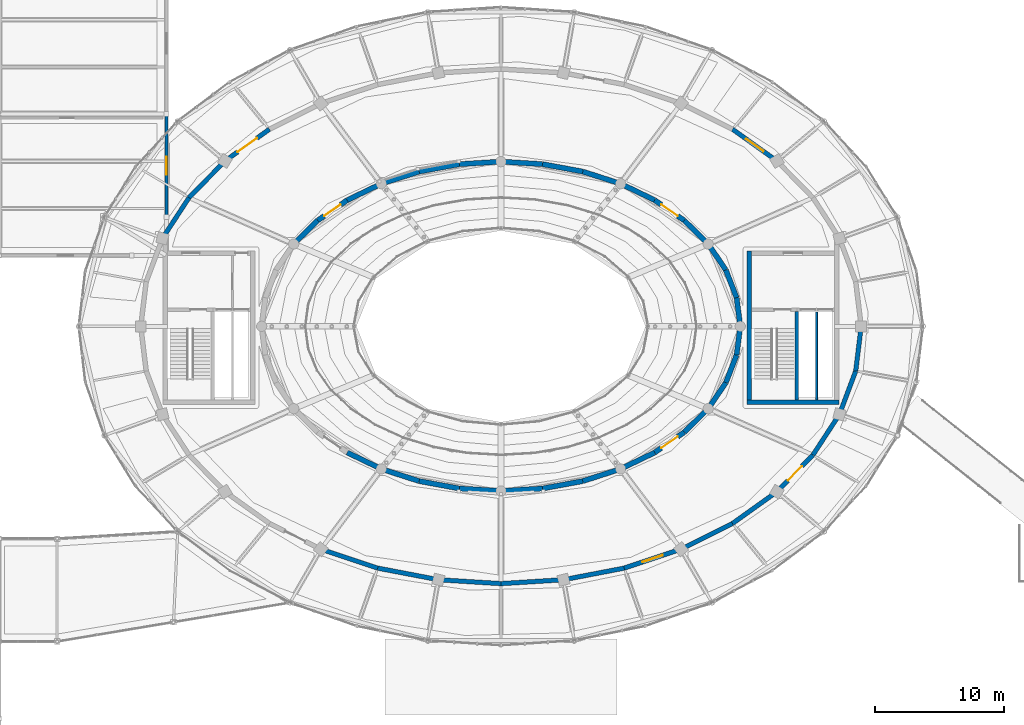
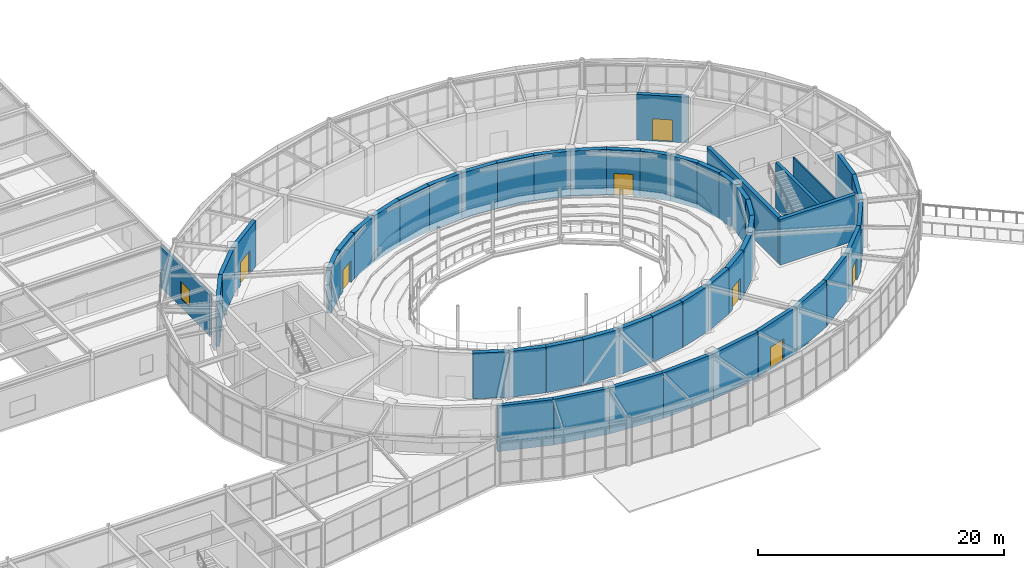
# One storey, part 79 of 100: 49 walls, 7 doors, 1 window, 8 openings.
"""IFC4 building model written with IfcOpenShell, lengths in metres."""

from ifc_helpers import new_model, si_unit, direction, frame, frame_2d, origin, place, context, subcontext, project, spatial, rectangle, extrude, material, layer, layer_set, type_object, element, fill, save


model = new_model("IFC4")

# Units and contexts
model_context = context("Model", 3, precision=1e-05, world=origin(), true_north=direction((0.0, 1.0)))
body_context = subcontext(model_context, "Body", "Model", "MODEL_VIEW")
ifc_project = project(units=[si_unit("LENGTHUNIT", "METRE"), si_unit("AREAUNIT", "SQUARE_METRE"), si_unit("VOLUMEUNIT", "CUBIC_METRE"), si_unit("PLANEANGLEUNIT", "RADIAN"), si_unit("MASSUNIT", "GRAM", prefix="KILO")], contexts=[model_context])

# Site, building, storey
site_placement = place(None, origin())
site = spatial("IfcSite", under=ifc_project, at=site_placement, CompositionType="ELEMENT")
building_placement = place(site_placement, origin())
building = spatial("IfcBuilding", under=site, at=building_placement, Name="Tarnveldt Headland Concert Hall", CompositionType="ELEMENT")
storey_placement = place(building_placement, frame((0.0, 0.0, 4.800048828125)))
storey = spatial("IfcBuildingStorey", under=building, at=storey_placement, Name="L01", CompositionType="ELEMENT", Elevation=4.800048828125)

# Walls
ifc_material_1 = material(Name="Concrete C40/50", Category="concrete")
ifc_layer_1 = layer(ifc_material_1, 0.39990234375, Name="Concrete C40/50", Category="concrete")
ifc_layer_set_1 = layer_set([ifc_layer_1], Name="Concrete C40/50")
wall_type_1 = type_object("IfcWallType", Name="WL-AC400", PredefinedType="SOLIDWALL", material=ifc_layer_set_1)
wall_1_placement = place(storey_placement, frame((102.10009765625, 54.5, 0.0), z_axis=(0.0, 0.0, 1.0), x_axis=(-0.126180195213, 0.992007337844, 0.0)))
element("IfcWall", 1, at=wall_1_placement, inside=storey, type_object=wall_type_1, Name="Acoustic inner box wall L01-1", PredefinedType="SOLIDWALL", context=body_context, shape_type="SweptSolid", body=[
    extrude(rectangle(XDim=2.240478515625, YDim=0.39990234375, at=frame_2d((1.1201171875, 0.0))), origin(), (0.0, 0.0, 1.0), 4.5400390625),
])
wall_2_placement = place(storey_placement, frame((101.8173828125, 56.72265625, 0.0), z_axis=(0.0, 0.0, 1.0), x_axis=(-0.362802811216, 0.931865934657, 0.0)))
element("IfcWall", 2, at=wall_2_placement, inside=storey, type_object=wall_type_1, Name="Acoustic inner box wall L01-2", PredefinedType="SOLIDWALL", context=body_context, shape_type="SweptSolid", body=[
    extrude(rectangle(XDim=2.312744140625, YDim=0.39990234375, at=frame_2d((1.15625, 0.0))), origin(), (0.0, 0.0, 1.0), 4.5400390625),
])
wall_3_placement = place(storey_placement, frame((100.978271484375, 58.8779296875, 0.0), z_axis=(0.0, 0.0, 1.0), x_axis=(-0.560958648975, 0.827843822312, 0.0)))
element("IfcWall", 3, at=wall_3_placement, inside=storey, type_object=wall_type_1, Name="Acoustic inner box wall L01-3", PredefinedType="SOLIDWALL", context=body_context, shape_type="SweptSolid", body=[
    extrude(rectangle(XDim=2.4423828125, YDim=0.39990234375, at=frame_2d((1.22119140625, 0.0))), origin(), (0.0, 0.0, 1.0), 4.5400390625),
])
wall_4_placement = place(storey_placement, frame((99.608154296875, 60.89990234375, 0.0), z_axis=(0.0, 0.0, 1.0), x_axis=(-0.713212431679, 0.700947949065, 0.0)))
element("IfcWall", 4, at=wall_4_placement, inside=storey, type_object=wall_type_1, Name="Acoustic inner box wall L01-4", PredefinedType="SOLIDWALL", context=body_context, shape_type="SweptSolid", body=[
    extrude(rectangle(XDim=2.607666015625, YDim=0.39990234375, at=frame_2d((1.3037109375, 0.0))), origin(), (0.0, 0.0, 1.0), 4.5400390625),
])

# Wall, opening, door
wall_5_placement = place(storey_placement, frame((97.748291015625, 62.727783203125, 0.0), z_axis=(0.0, 0.0, 1.0), x_axis=(-0.823780742291, 0.566908536388, 0.0)))
wall_5 = element("IfcWall", 5, at=wall_5_placement, inside=storey, type_object=wall_type_1, Name="Acoustic inner box wall L01-5", PredefinedType="SOLIDWALL", context=body_context, shape_type="SweptSolid", body=[
    extrude(rectangle(XDim=2.782958984375, YDim=0.39990234375, at=frame_2d((1.3916015625, 0.0))), origin(), (0.0, 0.0, 1.0), 4.5400390625),
])
opening_1_placement = place(wall_5_placement, frame((0.616455078125, 0.0, 0.0)))
opening_1 = element("IfcOpeningElement", 6, at=opening_1_placement, cuts=wall_5, Name="Opening AD-I033", PredefinedType="OPENING", context=body_context, shape_type="SweptSolid", body=[
    extrude(rectangle(XDim=1.550048828125, YDim=2.179931640625, at=frame_2d((0.77490234375, 1.08984375))), frame((0.0, 0.2099609375, 0.0), z_axis=(0.0, -1.0, 0.0), x_axis=(1.0, 0.0, 0.0)), (0.0, 0.0, 1.0), 0.419921875),
])
ifc_material_2 = material(Name="Treated East African mvule hardwood", Category="wood")
door_type_1 = type_object("IfcDoorType", Name="DR-AC155", OperationType="NOTDEFINED", PredefinedType="DOOR", material=ifc_material_2)
door_1_placement = place(opening_1_placement, origin())
door_1 = element("IfcDoor", 7, at=door_1_placement, inside=storey, type_object=door_type_1, Name="Auditorium sound-lock vomitory door L01-5", OperationType="SINGLE_SWING_LEFT", OverallHeight=2.179931640625, OverallWidth=1.550048828125, PredefinedType="DOOR", context=body_context, shape_type="SweptSolid", body=[
    extrude(rectangle(XDim=1.550048828125, YDim=2.179931640625, at=frame_2d((0.77490234375, 1.08984375))), frame((0.0, 0.02490234375, 0.0), z_axis=(0.0, -1.0, 0.0), x_axis=(1.0, 0.0, 0.0)), (0.0, 0.0, 1.0), 0.050048828125),
])
fill(opening_1, door_1)

# Walls
wall_6_placement = place(storey_placement, frame((95.455810546875, 64.305419921875, 0.0), z_axis=(0.0, 0.0, 1.0), x_axis=(-0.900857755122, 0.434114391648, 0.0)))
element("IfcWall", 8, at=wall_6_placement, inside=storey, type_object=wall_type_1, Name="Acoustic inner box wall L01-6", PredefinedType="SOLIDWALL", context=body_context, shape_type="SweptSolid", body=[
    extrude(rectangle(XDim=2.947998046875, YDim=0.39990234375, at=frame_2d((1.47412109375, 0.0))), origin(), (0.0, 0.0, 1.0), 4.5400390625),
])
wall_7_placement = place(storey_placement, frame((92.800048828125, 65.585205078125, 0.0), z_axis=(0.0, 0.0, 1.0), x_axis=(-0.952183186678, 0.305527705795, 0.0)))
element("IfcWall", 9, at=wall_7_placement, inside=storey, type_object=wall_type_1, Name="Acoustic inner box wall L01-7", PredefinedType="SOLIDWALL", context=body_context, shape_type="SweptSolid", body=[
    extrude(rectangle(XDim=3.0859375, YDim=0.39990234375, at=frame_2d((1.54296875, 0.0))), origin(), (0.0, 0.0, 1.0), 4.5400390625),
])
wall_8_placement = place(storey_placement, frame((89.861572265625, 66.528076171875, 0.0), z_axis=(0.0, 0.0, 1.0), x_axis=(-0.9834240594, 0.18132048807, 0.0)))
element("IfcWall", 10, at=wall_8_placement, inside=storey, type_object=wall_type_1, Name="Acoustic inner box wall L01-8", PredefinedType="SOLIDWALL", context=body_context, shape_type="SweptSolid", body=[
    extrude(rectangle(XDim=3.184326171875, YDim=0.39990234375, at=frame_2d((1.59228515625, 0.0))), origin(), (0.0, 0.0, 1.0), 4.5400390625),
])
for number, where, z_axis, x_axis, name in (
    (11, (86.72998046875, 67.10546875, 0.0), (0.0, 0.0, 1.0), (-0.99819038223, 0.060132859761, 0.0), "Acoustic inner box wall L01-9"),
    (12, (83.5, 67.300048828125, 0.0), (0.0, 0.0, 1.0), (-0.99819038223, -0.060132859761, 0.0), "Acoustic inner box wall L01-10"),
):
    element("IfcWall", number, at=place(storey_placement, frame(where, z_axis=z_axis, x_axis=x_axis)), inside=storey, type_object=wall_type_1, Name=name, PredefinedType="SOLIDWALL", context=body_context, shape_type="SweptSolid", body=[
        extrude(rectangle(XDim=3.23583984375, YDim=0.39990234375, at=frame_2d((1.617919921875, 0.0))), origin(), (0.0, 0.0, 1.0), 4.5400390625),
    ])
wall_9_placement = place(storey_placement, frame((80.27001953125, 67.10546875, 0.0), z_axis=(0.0, 0.0, 1.0), x_axis=(-0.9834240594, -0.18132048807, 0.0)))
element("IfcWall", 13, at=wall_9_placement, inside=storey, type_object=wall_type_1, Name="Acoustic inner box wall L01-11", PredefinedType="SOLIDWALL", context=body_context, shape_type="SweptSolid", body=[
    extrude(rectangle(XDim=3.184326171875, YDim=0.39990234375, at=frame_2d((1.59228515625, 0.0))), origin(), (0.0, 0.0, 1.0), 4.5400390625),
])
wall_10_placement = place(storey_placement, frame((77.138427734375, 66.528076171875, 0.0), z_axis=(0.0, 0.0, 1.0), x_axis=(-0.952183186678, -0.305527705795, 0.0)))
element("IfcWall", 14, at=wall_10_placement, inside=storey, type_object=wall_type_1, Name="Acoustic inner box wall L01-12", PredefinedType="SOLIDWALL", context=body_context, shape_type="SweptSolid", body=[
    extrude(rectangle(XDim=3.0859375, YDim=0.39990234375, at=frame_2d((1.54296875, 0.0))), origin(), (0.0, 0.0, 1.0), 4.5400390625),
])
wall_11_placement = place(storey_placement, frame((74.199951171875, 65.585205078125, 0.0), z_axis=(0.0, 0.0, 1.0), x_axis=(-0.900857755122, -0.434114391648, 0.0)))
element("IfcWall", 15, at=wall_11_placement, inside=storey, type_object=wall_type_1, Name="Acoustic inner box wall L01-13", PredefinedType="SOLIDWALL", context=body_context, shape_type="SweptSolid", body=[
    extrude(rectangle(XDim=2.947998046875, YDim=0.39990234375, at=frame_2d((1.47412109375, 0.0))), origin(), (0.0, 0.0, 1.0), 4.5400390625),
])

# Wall, opening, door
wall_12_placement = place(storey_placement, frame((71.544189453125, 64.305419921875, 0.0), z_axis=(0.0, 0.0, 1.0), x_axis=(-0.823780742291, -0.566908536388, 0.0)))
wall_12 = element("IfcWall", 16, at=wall_12_placement, inside=storey, type_object=wall_type_1, Name="Acoustic inner box wall L01-14", PredefinedType="SOLIDWALL", context=body_context, shape_type="SweptSolid", body=[
    extrude(rectangle(XDim=2.782958984375, YDim=0.39990234375, at=frame_2d((1.3916015625, 0.0))), origin(), (0.0, 0.0, 1.0), 4.5400390625),
])
opening_2_placement = place(wall_12_placement, frame((0.616455078125, 0.0, 0.0)))
opening_2 = element("IfcOpeningElement", 17, at=opening_2_placement, cuts=wall_12, Name="Opening AD-I034", PredefinedType="OPENING", context=body_context, shape_type="SweptSolid", body=[
    extrude(rectangle(XDim=1.550048828125, YDim=2.179931640625, at=frame_2d((0.77490234375, 1.08984375))), frame((0.0, 0.2099609375, 0.0), z_axis=(0.0, -1.0, 0.0), x_axis=(1.0, 0.0, 0.0)), (0.0, 0.0, 1.0), 0.419921875),
])
door_2_placement = place(opening_2_placement, origin())
door_2 = element("IfcDoor", 18, at=door_2_placement, inside=storey, type_object=door_type_1, Name="Auditorium sound-lock vomitory door L01-14", OperationType="SINGLE_SWING_RIGHT", OverallHeight=2.179931640625, OverallWidth=1.550048828125, PredefinedType="DOOR", context=body_context, shape_type="SweptSolid", body=[
    extrude(rectangle(XDim=1.550048828125, YDim=2.179931640625, at=frame_2d((0.77490234375, 1.08984375))), frame((0.0, 0.02490234375, 0.0), z_axis=(0.0, -1.0, 0.0), x_axis=(1.0, 0.0, 0.0)), (0.0, 0.0, 1.0), 0.050048828125),
])
fill(opening_2, door_2)

# Walls
wall_13_placement = place(storey_placement, frame((69.251708984375, 62.727783203125, 0.0), z_axis=(0.0, 0.0, 1.0), x_axis=(-0.713212431679, -0.700947949065, 0.0)))
element("IfcWall", 19, at=wall_13_placement, inside=storey, type_object=wall_type_1, Name="Acoustic inner box wall L01-15", PredefinedType="SOLIDWALL", context=body_context, shape_type="SweptSolid", body=[
    extrude(rectangle(XDim=2.607666015625, YDim=0.39990234375, at=frame_2d((1.3037109375, 0.0))), origin(), (0.0, 0.0, 1.0), 4.5400390625),
])
wall_14_placement = place(storey_placement, frame((71.544189453125, 44.694580078125, 0.0), z_axis=(0.0, 0.0, 1.0), x_axis=(0.900857755122, -0.434114391648, 0.0)))
element("IfcWall", 20, at=wall_14_placement, inside=storey, type_object=wall_type_1, Name="Acoustic inner box wall L01-24", PredefinedType="SOLIDWALL", context=body_context, shape_type="SweptSolid", body=[
    extrude(rectangle(XDim=2.947998046875, YDim=0.39990234375, at=frame_2d((1.47412109375, 0.0))), origin(), (0.0, 0.0, 1.0), 4.5400390625),
])
wall_15_placement = place(storey_placement, frame((74.199951171875, 43.414794921875, 0.0), z_axis=(0.0, 0.0, 1.0), x_axis=(0.952183186678, -0.305527705795, 0.0)))
element("IfcWall", 21, at=wall_15_placement, inside=storey, type_object=wall_type_1, Name="Acoustic inner box wall L01-25", PredefinedType="SOLIDWALL", context=body_context, shape_type="SweptSolid", body=[
    extrude(rectangle(XDim=3.0859375, YDim=0.39990234375, at=frame_2d((1.54296875, 0.0))), origin(), (0.0, 0.0, 1.0), 4.5400390625),
])
wall_16_placement = place(storey_placement, frame((77.138427734375, 42.471923828125, 0.0), z_axis=(0.0, 0.0, 1.0), x_axis=(0.9834240594, -0.18132048807, 0.0)))
element("IfcWall", 22, at=wall_16_placement, inside=storey, type_object=wall_type_1, Name="Acoustic inner box wall L01-26", PredefinedType="SOLIDWALL", context=body_context, shape_type="SweptSolid", body=[
    extrude(rectangle(XDim=3.184326171875, YDim=0.39990234375, at=frame_2d((1.59228515625, 0.0))), origin(), (0.0, 0.0, 1.0), 4.5400390625),
])
for number, where, z_axis, x_axis, name in (
    (23, (80.27001953125, 41.89453125, 0.0), (0.0, 0.0, 1.0), (0.99819038223, -0.060132859761, 0.0), "Acoustic inner box wall L01-27"),
    (24, (83.5, 41.699951171875, 0.0), (0.0, 0.0, 1.0), (0.99819038223, 0.060132859761, 0.0), "Acoustic inner box wall L01-28"),
):
    element("IfcWall", number, at=place(storey_placement, frame(where, z_axis=z_axis, x_axis=x_axis)), inside=storey, type_object=wall_type_1, Name=name, PredefinedType="SOLIDWALL", context=body_context, shape_type="SweptSolid", body=[
        extrude(rectangle(XDim=3.23583984375, YDim=0.39990234375, at=frame_2d((1.617919921875, 0.0))), origin(), (0.0, 0.0, 1.0), 4.5400390625),
    ])
wall_17_placement = place(storey_placement, frame((86.72998046875, 41.89453125, 0.0), z_axis=(0.0, 0.0, 1.0), x_axis=(0.9834240594, 0.18132048807, 0.0)))
element("IfcWall", 25, at=wall_17_placement, inside=storey, type_object=wall_type_1, Name="Acoustic inner box wall L01-29", PredefinedType="SOLIDWALL", context=body_context, shape_type="SweptSolid", body=[
    extrude(rectangle(XDim=3.184326171875, YDim=0.39990234375, at=frame_2d((1.59228515625, 0.0))), origin(), (0.0, 0.0, 1.0), 4.5400390625),
])
wall_18_placement = place(storey_placement, frame((89.861572265625, 42.471923828125, 0.0), z_axis=(0.0, 0.0, 1.0), x_axis=(0.952183186678, 0.305527705795, 0.0)))
element("IfcWall", 26, at=wall_18_placement, inside=storey, type_object=wall_type_1, Name="Acoustic inner box wall L01-30", PredefinedType="SOLIDWALL", context=body_context, shape_type="SweptSolid", body=[
    extrude(rectangle(XDim=3.0859375, YDim=0.39990234375, at=frame_2d((1.54296875, 0.0))), origin(), (0.0, 0.0, 1.0), 4.5400390625),
])
wall_19_placement = place(storey_placement, frame((92.800048828125, 43.414794921875, 0.0), z_axis=(0.0, 0.0, 1.0), x_axis=(0.900857755122, 0.434114391648, 0.0)))
element("IfcWall", 27, at=wall_19_placement, inside=storey, type_object=wall_type_1, Name="Acoustic inner box wall L01-31", PredefinedType="SOLIDWALL", context=body_context, shape_type="SweptSolid", body=[
    extrude(rectangle(XDim=2.947998046875, YDim=0.39990234375, at=frame_2d((1.47412109375, 0.0))), origin(), (0.0, 0.0, 1.0), 4.5400390625),
])

# Wall, opening, door
wall_20_placement = place(storey_placement, frame((95.455810546875, 44.694580078125, 0.0), z_axis=(0.0, 0.0, 1.0), x_axis=(0.823780742291, 0.566908536388, 0.0)))
wall_20 = element("IfcWall", 28, at=wall_20_placement, inside=storey, type_object=wall_type_1, Name="Acoustic inner box wall L01-32", PredefinedType="SOLIDWALL", context=body_context, shape_type="SweptSolid", body=[
    extrude(rectangle(XDim=2.782958984375, YDim=0.39990234375, at=frame_2d((1.3916015625, 0.0))), origin(), (0.0, 0.0, 1.0), 4.5400390625),
])
opening_3_placement = place(wall_20_placement, frame((0.616455078125, 0.0, 0.0)))
opening_3 = element("IfcOpeningElement", 29, at=opening_3_placement, cuts=wall_20, Name="Opening AD-I036", PredefinedType="OPENING", context=body_context, shape_type="SweptSolid", body=[
    extrude(rectangle(XDim=1.550048828125, YDim=2.179931640625, at=frame_2d((0.77490234375, 1.08984375))), frame((0.0, 0.2099609375, 0.0), z_axis=(0.0, -1.0, 0.0), x_axis=(1.0, 0.0, 0.0)), (0.0, 0.0, 1.0), 0.419921875),
])
door_3_placement = place(opening_3_placement, origin())
door_3 = element("IfcDoor", 30, at=door_3_placement, inside=storey, type_object=door_type_1, Name="Auditorium sound-lock vomitory door L01-32", OperationType="SINGLE_SWING_RIGHT", OverallHeight=2.179931640625, OverallWidth=1.550048828125, PredefinedType="DOOR", context=body_context, shape_type="SweptSolid", body=[
    extrude(rectangle(XDim=1.550048828125, YDim=2.179931640625, at=frame_2d((0.77490234375, 1.08984375))), frame((0.0, 0.02490234375, 0.0), z_axis=(0.0, -1.0, 0.0), x_axis=(1.0, 0.0, 0.0)), (0.0, 0.0, 1.0), 0.050048828125),
])
fill(opening_3, door_3)

# Walls
wall_21_placement = place(storey_placement, frame((97.748291015625, 46.272216796875, 0.0), z_axis=(0.0, 0.0, 1.0), x_axis=(0.713212431679, 0.700947949065, 0.0)))
element("IfcWall", 31, at=wall_21_placement, inside=storey, type_object=wall_type_1, Name="Acoustic inner box wall L01-33", PredefinedType="SOLIDWALL", context=body_context, shape_type="SweptSolid", body=[
    extrude(rectangle(XDim=2.607666015625, YDim=0.39990234375, at=frame_2d((1.3037109375, 0.0))), origin(), (0.0, 0.0, 1.0), 4.5400390625),
])
wall_22_placement = place(storey_placement, frame((99.608154296875, 48.10009765625, 0.0), z_axis=(0.0, 0.0, 1.0), x_axis=(0.560958648975, 0.827843822312, 0.0)))
element("IfcWall", 32, at=wall_22_placement, inside=storey, type_object=wall_type_1, Name="Acoustic inner box wall L01-34", PredefinedType="SOLIDWALL", context=body_context, shape_type="SweptSolid", body=[
    extrude(rectangle(XDim=2.4423828125, YDim=0.39990234375, at=frame_2d((1.22119140625, 0.0))), origin(), (0.0, 0.0, 1.0), 4.5400390625),
])
wall_23_placement = place(storey_placement, frame((100.978271484375, 50.1220703125, 0.0), z_axis=(0.0, 0.0, 1.0), x_axis=(0.362802811216, 0.931865934657, 0.0)))
element("IfcWall", 33, at=wall_23_placement, inside=storey, type_object=wall_type_1, Name="Acoustic inner box wall L01-35", PredefinedType="SOLIDWALL", context=body_context, shape_type="SweptSolid", body=[
    extrude(rectangle(XDim=2.312744140625, YDim=0.39990234375, at=frame_2d((1.15625, 0.0))), origin(), (0.0, 0.0, 1.0), 4.5400390625),
])
wall_24_placement = place(storey_placement, frame((101.8173828125, 52.27734375, 0.0), z_axis=(0.0, 0.0, 1.0), x_axis=(0.126180195213, 0.992007337844, 0.0)))
element("IfcWall", 34, at=wall_24_placement, inside=storey, type_object=wall_type_1, Name="Acoustic inner box wall L01-36", PredefinedType="SOLIDWALL", context=body_context, shape_type="SweptSolid", body=[
    extrude(rectangle(XDim=2.240478515625, YDim=0.39990234375, at=frame_2d((1.1201171875, 0.0))), origin(), (0.0, 0.0, 1.0), 4.5400390625),
])

# Wall, opening, door
ifc_layer_2 = layer(ifc_material_1, 0.35009765625, Name="Concrete C40/50", Category="concrete")
ifc_layer_set_2 = layer_set([ifc_layer_2], Name="Concrete C40/50")
wall_type_2 = type_object("IfcWallType", Name="WL-CR350", PredefinedType="SHEAR", material=ifc_layer_set_2)
wall_25_placement = place(storey_placement, frame((104.94921875, 67.355712890625, 0.0), z_axis=(0.0, 0.0, 1.0), x_axis=(-0.813737360708, 0.581232748378, 0.0)))
wall_25 = element("IfcWall", 35, at=wall_25_placement, inside=storey, type_object=wall_type_2, Name="Symphony drum shear wall L01-5", PredefinedType="SHEAR", context=body_context, shape_type="SweptSolid", body=[
    extrude(rectangle(XDim=4.2412109375, YDim=0.35009765625, at=frame_2d((2.12060546875, 0.0))), origin(), (0.0, 0.0, 1.0), 4.5400390625),
])
opening_4_placement = place(wall_25_placement, frame((1.29541015625, 0.0, 0.0)))
opening_4 = element("IfcOpeningElement", 36, at=opening_4_placement, cuts=wall_25, Name="Opening AD-O013", PredefinedType="OPENING", context=body_context, shape_type="SweptSolid", body=[
    extrude(rectangle(XDim=1.64990234375, YDim=2.199951171875, at=frame_2d((0.824951171875, 1.10009765625))), frame((0.0, 0.18505859375, 0.0), z_axis=(0.0, -1.0, 0.0), x_axis=(1.0, 0.0, 0.0)), (0.0, 0.0, 1.0), 0.3701171875),
])
door_type_2 = type_object("IfcDoorType", Name="DR-AC165", OperationType="NOTDEFINED", PredefinedType="DOOR", material=ifc_material_2)
door_4_placement = place(opening_4_placement, origin())
door_4 = element("IfcDoor", 37, at=door_4_placement, inside=storey, type_object=door_type_2, Name="Drum concourse acoustic door L01-5", OperationType="SINGLE_SWING_LEFT", OverallHeight=2.199951171875, OverallWidth=1.64990234375, PredefinedType="DOOR", context=body_context, shape_type="SweptSolid", body=[
    extrude(rectangle(XDim=1.64990234375, YDim=2.199951171875, at=frame_2d((0.824951171875, 1.10009765625))), frame((0.0, 0.02490234375, 0.0), z_axis=(0.0, -1.0, 0.0), x_axis=(1.0, 0.0, 0.0)), (0.0, 0.0, 1.0), 0.050048828125),
])
fill(opening_4, door_4)

wall_26_placement = place(storey_placement, frame((65.501953125, 69.82080078125, 0.0), z_axis=(0.0, 0.0, 1.0), x_axis=(-0.813737360708, -0.581232748378, 0.0)))
wall_26 = element("IfcWall", 38, at=wall_26_placement, inside=storey, type_object=wall_type_2, Name="Symphony drum shear wall L01-14", PredefinedType="SHEAR", context=body_context, shape_type="SweptSolid", body=[
    extrude(rectangle(XDim=4.2412109375, YDim=0.35009765625, at=frame_2d((2.12060546875, 0.0))), origin(), (0.0, 0.0, 1.0), 4.5400390625),
])
opening_5_placement = place(wall_26_placement, frame((1.195556640625, 0.0, 0.0)))
opening_5 = element("IfcOpeningElement", 39, at=opening_5_placement, cuts=wall_26, Name="Opening AD-O015", PredefinedType="OPENING", context=body_context, shape_type="SweptSolid", body=[
    extrude(rectangle(XDim=1.85009765625, YDim=2.300048828125, at=frame_2d((0.925048828125, 1.14990234375))), frame((0.0, 0.18505859375, 0.0), z_axis=(0.0, -1.0, 0.0), x_axis=(1.0, 0.0, 0.0)), (0.0, 0.0, 1.0), 0.3701171875),
])
door_type_3 = type_object("IfcDoorType", Name="DR-AC185", OperationType="NOTDEFINED", PredefinedType="DOOR", material=ifc_material_2)
door_5_placement = place(opening_5_placement, origin())
door_5 = element("IfcDoor", 40, at=door_5_placement, inside=storey, type_object=door_type_3, Name="Drum concourse acoustic door L01-14", OperationType="SINGLE_SWING_LEFT", OverallHeight=2.300048828125, OverallWidth=1.85009765625, PredefinedType="DOOR", context=body_context, shape_type="SweptSolid", body=[
    extrude(rectangle(XDim=1.85009765625, YDim=2.300048828125, at=frame_2d((0.925048828125, 1.14990234375))), frame((0.0, 0.02490234375, 0.0), z_axis=(0.0, -1.0, 0.0), x_axis=(1.0, 0.0, 0.0)), (0.0, 0.0, 1.0), 0.050048828125),
])
fill(opening_5, door_5)

# Walls
wall_27_placement = place(storey_placement, frame((62.05078125, 67.355712890625, 0.0), z_axis=(0.0, 0.0, 1.0), x_axis=(-0.700051268358, -0.714092586203, 0.0)))
element("IfcWall", 41, at=wall_27_placement, inside=storey, type_object=wall_type_2, Name="Symphony drum shear wall L01-15", PredefinedType="SHEAR", context=body_context, shape_type="SweptSolid", body=[
    extrude(rectangle(XDim=3.9990234375, YDim=0.35009765625, at=frame_2d((1.99951171875, 0.0))), origin(), (0.0, 0.0, 1.0), 4.5400390625),
])
wall_28_placement = place(storey_placement, frame((59.251220703125, 64.5, 0.0), z_axis=(0.0, 0.0, 1.0), x_axis=(-0.546611158382, -0.837386554425, 0.0)))
element("IfcWall", 42, at=wall_28_placement, inside=storey, type_object=wall_type_2, Name="Symphony drum shear wall L01-16", PredefinedType="SHEAR", context=body_context, shape_type="SweptSolid", body=[
    extrude(rectangle(XDim=3.773193359375, YDim=0.35009765625, at=frame_2d((1.88671875, 0.0))), origin(), (0.0, 0.0, 1.0), 4.5400390625),
])
wall_29_placement = place(storey_placement, frame((69.5, 37.179443359375, 0.0), z_axis=(0.0, 0.0, 1.0), x_axis=(0.948751350732, -0.316023534699, 0.0)))
element("IfcWall", 43, at=wall_29_placement, inside=storey, type_object=wall_type_2, Name="Symphony drum shear wall L01-25", PredefinedType="SHEAR", context=body_context, shape_type="SweptSolid", body=[
    extrude(rectangle(XDim=4.662353515625, YDim=0.35009765625, at=frame_2d((2.3310546875, 0.0))), origin(), (0.0, 0.0, 1.0), 4.5400390625),
])
wall_30_placement = place(storey_placement, frame((73.92333984375, 35.7060546875, 0.0), z_axis=(0.0, 0.0, 1.0), x_axis=(0.982172578083, -0.187981453503, 0.0)))
element("IfcWall", 44, at=wall_30_placement, inside=storey, type_object=wall_type_2, Name="Symphony drum shear wall L01-26", PredefinedType="SHEAR", context=body_context, shape_type="SweptSolid", body=[
    extrude(rectangle(XDim=4.80029296875, YDim=0.35009765625, at=frame_2d((2.400146484375, 0.0))), origin(), (0.0, 0.0, 1.0), 4.5400390625),
])
for number, where, z_axis, x_axis, name in (
    (45, (78.637939453125, 34.8037109375, 0.0), (0.0, 0.0, 1.0), (0.998054722924, -0.06234396562, 0.0), "Symphony drum shear wall L01-27"),
    (46, (83.5, 34.5, 0.0), (0.0, 0.0, 1.0), (0.998054722924, 0.06234396562, 0.0), "Symphony drum shear wall L01-28"),
):
    element("IfcWall", number, at=place(storey_placement, frame(where, z_axis=z_axis, x_axis=x_axis)), inside=storey, type_object=wall_type_2, Name=name, PredefinedType="SHEAR", context=body_context, shape_type="SweptSolid", body=[
        extrude(rectangle(XDim=4.87158203125, YDim=0.35009765625, at=frame_2d((2.435791015625, 0.0))), origin(), (0.0, 0.0, 1.0), 4.5400390625),
    ])
wall_31_placement = place(storey_placement, frame((88.362060546875, 34.8037109375, 0.0), z_axis=(0.0, 0.0, 1.0), x_axis=(0.982172578083, 0.187981453503, 0.0)))
element("IfcWall", 47, at=wall_31_placement, inside=storey, type_object=wall_type_2, Name="Symphony drum shear wall L01-29", PredefinedType="SHEAR", context=body_context, shape_type="SweptSolid", body=[
    extrude(rectangle(XDim=4.80029296875, YDim=0.35009765625, at=frame_2d((2.400146484375, 0.0))), origin(), (0.0, 0.0, 1.0), 4.5400390625),
])

# Wall, opening, door
wall_32_placement = place(storey_placement, frame((93.07666015625, 35.7060546875, 0.0), z_axis=(0.0, 0.0, 1.0), x_axis=(0.948751350732, 0.316023534699, 0.0)))
wall_32 = element("IfcWall", 48, at=wall_32_placement, inside=storey, type_object=wall_type_2, Name="Symphony drum shear wall L01-30", PredefinedType="SHEAR", context=body_context, shape_type="SweptSolid", body=[
    extrude(rectangle(XDim=4.662353515625, YDim=0.35009765625, at=frame_2d((2.3310546875, 0.0))), origin(), (0.0, 0.0, 1.0), 4.5400390625),
])
opening_6_placement = place(wall_32_placement, frame((1.506103515625, 0.0, 0.0)))
opening_6 = element("IfcOpeningElement", 49, at=opening_6_placement, cuts=wall_32, Name="Opening AD-O017", PredefinedType="OPENING", context=body_context, shape_type="SweptSolid", body=[
    extrude(rectangle(XDim=1.64990234375, YDim=2.199951171875, at=frame_2d((0.824951171875, 1.10009765625))), frame((0.0, 0.18505859375, 0.0), z_axis=(0.0, -1.0, 0.0), x_axis=(1.0, 0.0, 0.0)), (0.0, 0.0, 1.0), 0.3701171875),
])
door_6_placement = place(opening_6_placement, origin())
door_6 = element("IfcDoor", 50, at=door_6_placement, inside=storey, type_object=door_type_2, Name="Drum concourse acoustic door L01-30", OperationType="SINGLE_SWING_LEFT", OverallHeight=2.199951171875, OverallWidth=1.64990234375, PredefinedType="DOOR", context=body_context, shape_type="SweptSolid", body=[
    extrude(rectangle(XDim=1.64990234375, YDim=2.199951171875, at=frame_2d((0.824951171875, 1.10009765625))), frame((0.0, 0.02490234375, 0.0), z_axis=(0.0, -1.0, 0.0), x_axis=(1.0, 0.0, 0.0)), (0.0, 0.0, 1.0), 0.050048828125),
])
fill(opening_6, door_6)

# Walls
wall_33_placement = place(storey_placement, frame((97.5, 37.179443359375, 0.0), z_axis=(0.0, 0.0, 1.0), x_axis=(0.894361644392, 0.447344664705, 0.0)))
element("IfcWall", 51, at=wall_33_placement, inside=storey, type_object=wall_type_2, Name="Symphony drum shear wall L01-31", PredefinedType="SHEAR", context=body_context, shape_type="SweptSolid", body=[
    extrude(rectangle(XDim=4.47021484375, YDim=0.35009765625, at=frame_2d((2.235107421875, 0.0))), origin(), (0.0, 0.0, 1.0), 4.5400390625),
])
wall_34_placement = place(storey_placement, frame((101.498046875, 39.17919921875, 0.0), z_axis=(0.0, 0.0, 1.0), x_axis=(0.813737360708, 0.581232748378, 0.0)))
element("IfcWall", 52, at=wall_34_placement, inside=storey, type_object=wall_type_2, Name="Symphony drum shear wall L01-32", PredefinedType="SHEAR", context=body_context, shape_type="SweptSolid", body=[
    extrude(rectangle(XDim=4.2412109375, YDim=0.35009765625, at=frame_2d((2.12060546875, 0.0))), origin(), (0.0, 0.0, 1.0), 4.5400390625),
])

# Wall, opening, door
wall_35_placement = place(storey_placement, frame((104.94921875, 41.644287109375, 0.0), z_axis=(0.0, 0.0, 1.0), x_axis=(0.700051268358, 0.714092586203, 0.0)))
wall_35 = element("IfcWall", 53, at=wall_35_placement, inside=storey, type_object=wall_type_2, Name="Symphony drum shear wall L01-33", PredefinedType="SHEAR", context=body_context, shape_type="SweptSolid", body=[
    extrude(rectangle(XDim=3.9990234375, YDim=0.35009765625, at=frame_2d((1.99951171875, 0.0))), origin(), (0.0, 0.0, 1.0), 4.5400390625),
])
opening_7_placement = place(wall_35_placement, frame((1.224609375, 0.0, 0.0)))
opening_7 = element("IfcOpeningElement", 54, at=opening_7_placement, cuts=wall_35, Name="Opening AD-O018", PredefinedType="OPENING", context=body_context, shape_type="SweptSolid", body=[
    extrude(rectangle(XDim=1.550048828125, YDim=2.179931640625, at=frame_2d((0.77490234375, 1.08984375))), frame((0.0, 0.18505859375, 0.0), z_axis=(0.0, -1.0, 0.0), x_axis=(1.0, 0.0, 0.0)), (0.0, 0.0, 1.0), 0.3701171875),
])
door_7_placement = place(opening_7_placement, origin())
door_7 = element("IfcDoor", 55, at=door_7_placement, inside=storey, type_object=door_type_1, Name="Drum concourse acoustic door L01-33", OperationType="SINGLE_SWING_RIGHT", OverallHeight=2.179931640625, OverallWidth=1.550048828125, PredefinedType="DOOR", context=body_context, shape_type="SweptSolid", body=[
    extrude(rectangle(XDim=1.550048828125, YDim=2.179931640625, at=frame_2d((0.77490234375, 1.08984375))), frame((0.0, 0.02490234375, 0.0), z_axis=(0.0, -1.0, 0.0), x_axis=(1.0, 0.0, 0.0)), (0.0, 0.0, 1.0), 0.050048828125),
])
fill(opening_7, door_7)

# Walls
wall_36_placement = place(storey_placement, frame((107.748779296875, 44.5, 0.0), z_axis=(0.0, 0.0, 1.0), x_axis=(0.546611158382, 0.837386554425, 0.0)))
element("IfcWall", 56, at=wall_36_placement, inside=storey, type_object=wall_type_2, Name="Symphony drum shear wall L01-34", PredefinedType="SHEAR", context=body_context, shape_type="SweptSolid", body=[
    extrude(rectangle(XDim=3.773193359375, YDim=0.35009765625, at=frame_2d((1.88671875, 0.0))), origin(), (0.0, 0.0, 1.0), 4.5400390625),
])
wall_37_placement = place(storey_placement, frame((109.811279296875, 47.65966796875, 0.0), z_axis=(0.0, 0.0, 1.0), x_axis=(0.351279653979, 0.936270583058, 0.0)))
element("IfcWall", 57, at=wall_37_placement, inside=storey, type_object=wall_type_2, Name="Symphony drum shear wall L01-35", PredefinedType="SHEAR", context=body_context, shape_type="SweptSolid", body=[
    extrude(rectangle(XDim=3.5966796875, YDim=0.35009765625, at=frame_2d((1.79833984375, 0.0))), origin(), (0.0, 0.0, 1.0), 4.5400390625),
])
wall_38_placement = place(storey_placement, frame((111.07470703125, 51.027099609375, 0.0), z_axis=(0.0, 0.0, 1.0), x_axis=(0.121552414401, 0.99258501427, 0.0)))
element("IfcWall", 58, at=wall_38_placement, inside=storey, type_object=wall_type_2, Name="Symphony drum shear wall L01-36", PredefinedType="SHEAR", context=body_context, shape_type="SweptSolid", body=[
    extrude(rectangle(XDim=3.498779296875, YDim=0.35009765625, at=frame_2d((1.74951171875, 0.0))), origin(), (0.0, 0.0, 1.0), 4.5400390625),
])
wall_39_placement = place(storey_placement, frame((102.625, 48.60009765625, 0.0), z_axis=(0.0, 0.0, 1.0), x_axis=(1.0, 0.0, 0.0)))
element("IfcWall", 59, at=wall_39_placement, inside=storey, type_object=wall_type_2, Name="Core C2 south shear wall L01", PredefinedType="SHEAR", context=body_context, shape_type="SweptSolid", body=[
    extrude(rectangle(XDim=7.14990234375, YDim=0.35009765625, at=frame_2d((3.574951171875, 0.0))), origin(), (0.0, 0.0, 1.0), 4.5400390625),
])
wall_40_placement = place(storey_placement, frame((102.800048828125, 48.77490234375, 0.0), z_axis=(0.0, 0.0, 1.0), x_axis=(0.0, 1.0, 0.0)))
element("IfcWall", 60, at=wall_40_placement, inside=storey, type_object=wall_type_2, Name="Core C2 west shear wall L01", PredefinedType="SHEAR", context=body_context, shape_type="SweptSolid", body=[
    extrude(rectangle(XDim=11.60009765625, YDim=0.35009765625, at=frame_2d((5.800048828125, 0.0))), origin(), (0.0, 0.0, 1.0), 4.5400390625),
])

# Wall, opening, window
ifc_material_3 = material(Name="Coral-toned precast concrete C40/50", Category="concrete")
ifc_layer_3 = layer(ifc_material_3, 0.25, Name="Coral-toned precast concrete C40/50", Category="concrete")
ifc_layer_set_3 = layer_set([ifc_layer_3], Name="Coral-toned precast concrete C40/50")
wall_type_3 = type_object("IfcWallType", Name="WL-EX250", PredefinedType="SOLIDWALL", material=ifc_layer_set_3)
wall_41_placement = place(storey_placement, frame((57.5, 70.97998046875, 0.0), z_axis=(0.0, 0.0, 1.0), x_axis=(0.0, -1.0, 0.0)))
wall_41 = element("IfcWall", 61, at=wall_41_placement, inside=storey, type_object=wall_type_3, Name="External precast wall L01-284", PredefinedType="SOLIDWALL", context=body_context, shape_type="SweptSolid", body=[
    extrude(rectangle(XDim=7.9599609375, YDim=0.25, at=frame_2d((3.97998046875, 0.0))), origin(), (0.0, 0.0, 1.0), 4.077880859375),
])
opening_8_placement = place(wall_41_placement, frame((3.280029296875, 0.0, 0.85009765625)))
opening_8 = element("IfcOpeningElement", 62, at=opening_8_placement, cuts=wall_41, Name="Opening W-R120", PredefinedType="OPENING", context=body_context, shape_type="SweptSolid", body=[
    extrude(rectangle(XDim=1.39990234375, YDim=1.699951171875, at=frame_2d((0.699951171875, 0.85009765625))), frame((0.0, 0.135009765625, 0.0), z_axis=(0.0, -1.0, 0.0), x_axis=(1.0, 0.0, 0.0)), (0.0, 0.0, 1.0), 0.27001953125),
])
ifc_material_4 = material(Name="Acoustic laminated low-iron double glazing", Category="glass")
window_type = type_object("IfcWindowType", Name="WN-10", PartitioningType="SINGLE_PANEL", PredefinedType="WINDOW", material=ifc_material_4)
window_placement = place(opening_8_placement, origin())
window = element("IfcWindow", 63, at=window_placement, inside=storey, type_object=window_type, Name="Rehearsal wing acoustic window L01-E1", OverallHeight=1.699951171875, OverallWidth=1.39990234375, PartitioningType="SINGLE_PANEL", PredefinedType="WINDOW", context=body_context, shape_type="SweptSolid", body=[
    extrude(rectangle(XDim=1.39990234375, YDim=1.699951171875, at=frame_2d((0.699951171875, 0.85009765625))), frame((0.0, 0.030029296875, 0.0), z_axis=(0.0, -1.0, 0.0), x_axis=(1.0, 0.0, 0.0)), (0.0, 0.0, 1.0), 0.06005859375),
])
fill(opening_8, window)

# Walls
ifc_material_5 = material(Name="Acoustic multi-layer gypsum and mineral-wool partition", Category="gypsum")
ifc_layer_4 = layer(ifc_material_5, 0.14990234375, Name="Acoustic multi-layer gypsum and mineral-wool partition", Category="gypsum")
ifc_layer_set_4 = layer_set([ifc_layer_4], Name="Acoustic multi-layer gypsum and mineral-wool partition")
wall_type_4 = type_object("IfcWallType", Name="WL-PT150", PredefinedType="PARTITIONING", material=ifc_layer_set_4)
wall_42_placement = place(storey_placement, frame((108.032470703125, 48.77490234375, 0.0), z_axis=(0.0, 0.0, 1.0), x_axis=(0.0, 1.0, 0.0)))
element("IfcWall", 64, at=wall_42_placement, inside=storey, type_object=wall_type_4, Name="Core C2 twin lift divider L01", PredefinedType="PARTITIONING", context=body_context, shape_type="SweptSolid", body=[
    extrude(rectangle(XDim=6.8251953125, YDim=0.14990234375, at=frame_2d((3.41259765625, 0.0))), origin(), (0.0, 0.0, 1.0), 4.533935546875),
])
ifc_layer_5 = layer(ifc_material_1, 0.27490234375, Name="Concrete C40/50", Category="concrete")
ifc_layer_set_5 = layer_set([ifc_layer_5], Name="Concrete C40/50")
wall_type_5 = type_object("IfcWallType", Name="WL-SH275", PredefinedType="SHEAR", material=ifc_layer_set_5)
wall_43_placement = place(storey_placement, frame((106.5, 48.77490234375, 0.0), z_axis=(0.0, 0.0, 1.0), x_axis=(0.0, 1.0, 0.0)))
element("IfcWall", 65, at=wall_43_placement, inside=storey, type_object=wall_type_5, Name="Core C2 shaft divider wall L01", PredefinedType="SHEAR", context=body_context, shape_type="SweptSolid", body=[
    extrude(rectangle(XDim=6.8876953125, YDim=0.27490234375, at=frame_2d((3.44384765625, 0.0))), origin(), (0.0, 0.0, 1.0), 4.5400390625),
])

save(model, "model.ifc")
